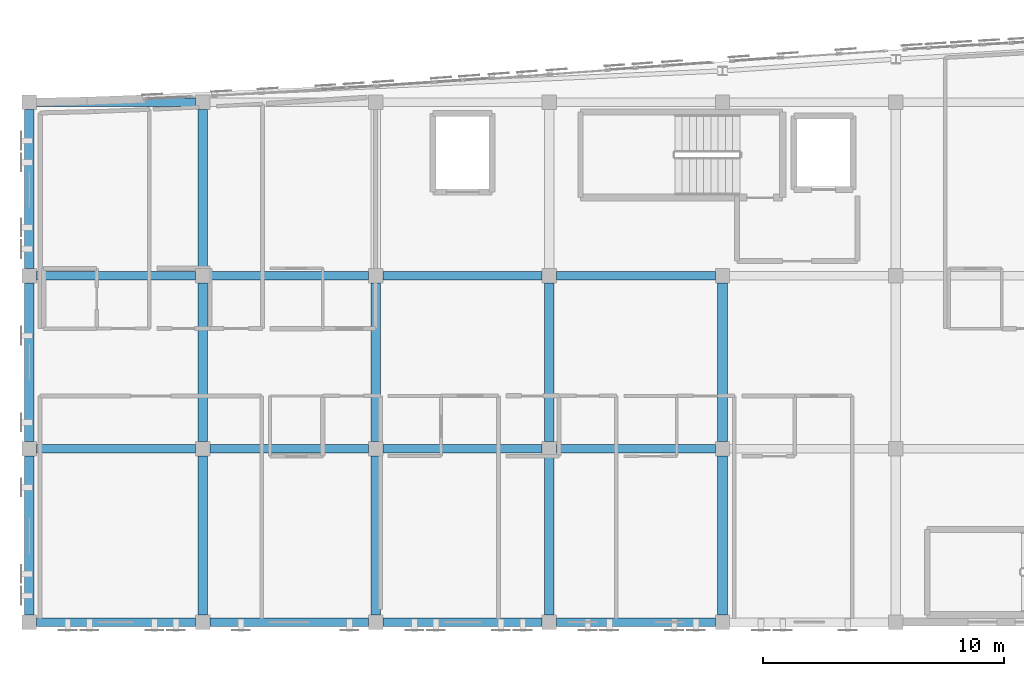
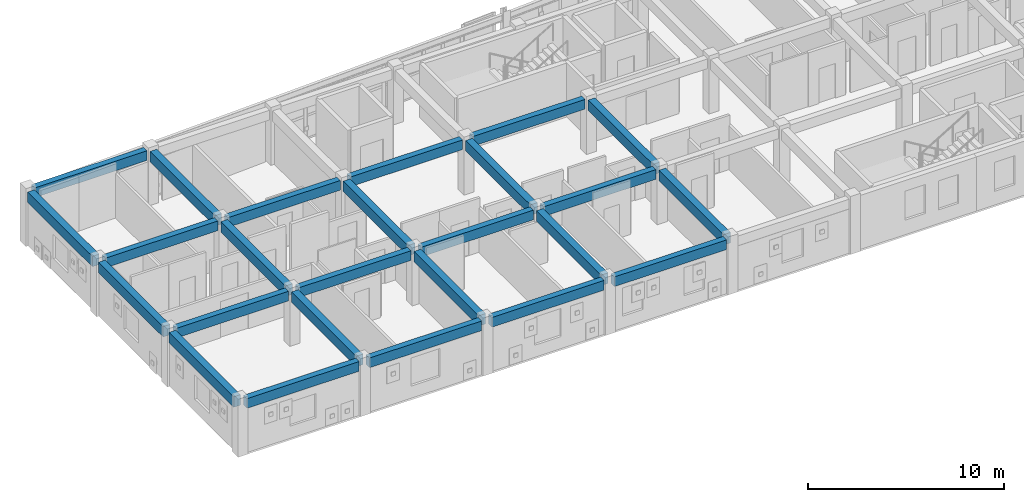
# One storey, part 5 of 45: 25 beams.
"""IFC4 building model written with IfcOpenShell, lengths in metres."""

from ifc_helpers import new_model, si_unit, direction, frame, origin, origin_2d, place, context, subcontext, project, spatial, rectangle, extrude, material, material_profile, profile_set, type_object, element, save


model = new_model("IFC4")

# Units and contexts
model_context = context("Model", 3, precision=1e-05, world=origin(), true_north=direction((0.0, 1.0)))
body_context = subcontext(model_context, "Body", "Model", "MODEL_VIEW")
ifc_project = project(units=[si_unit("LENGTHUNIT", "METRE"), si_unit("AREAUNIT", "SQUARE_METRE"), si_unit("VOLUMEUNIT", "CUBIC_METRE"), si_unit("PLANEANGLEUNIT", "RADIAN"), si_unit("MASSUNIT", "GRAM", prefix="KILO")], contexts=[model_context])

# Site, building, storey
site_placement = place(None, origin())
site = spatial("IfcSite", under=ifc_project, at=site_placement, CompositionType="ELEMENT")
building_placement = place(site_placement, origin())
building = spatial("IfcBuilding", under=site, at=building_placement, Name="Carrowvane Square Congress Hotel", CompositionType="ELEMENT")
storey_placement = place(building_placement, frame((0.0, 0.0, 33.60009765625)))
storey = spatial("IfcBuildingStorey", under=building, at=storey_placement, Name="L08", CompositionType="ELEMENT", Elevation=33.60009765625)

# Beams
ifc_material_1 = material(Name="Concrete C35/45", Category="concrete")
ifc_material_profile_1 = material_profile(ifc_material_1, rectangle(XDim=0.35009765625, YDim=0.60009765625, at=origin_2d()), Name="RC 350x600")
ifc_profile_set_1 = profile_set([ifc_material_profile_1], Name="Concrete C35/45")
beam_type_1 = type_object("IfcBeamType", Name="BM-RC-350x600", PredefinedType="BEAM", material=ifc_profile_set_1)
for number, where, z_axis, x_axis, name in (
    (1, (33.5, 91.800048828125, 3.059814453125), (1.0, 0.0, 0.0), (0.0, 1.0, 0.0), "L09 girder N/4-5"),
    (2, (40.699951171875, 91.800048828125, 3.059814453125), (1.0, 0.0, 0.0), (0.0, 1.0, 0.0), "L09 girder N/5-6"),
    (3, (47.89990234375, 91.800048828125, 3.059814453125), (1.0, 0.0, 0.0), (0.0, 1.0, 0.0), "L09 girder N/6-7"),
):
    element("IfcBeam", number, at=place(storey_placement, frame(where, z_axis=z_axis, x_axis=x_axis)), inside=storey, type_object=beam_type_1, Name=name, PredefinedType="BEAM", context=body_context, shape_type="SweptSolid", body=[
        extrude(rectangle(XDim=0.35009765625, YDim=0.60009765625, at=origin_2d()), origin(), (0.0, 0.0, 1.0), 6.60009765625),
    ])
beam_1_placement = place(storey_placement, frame((55.10009765625, 91.800048828125, 3.059814453125), z_axis=(1.0, 0.0, 0.0), x_axis=(0.0, 1.0, 0.0)))
element("IfcBeam", 4, at=beam_1_placement, inside=storey, type_object=beam_type_1, Name="L09 girder N/7-8", PredefinedType="BEAM", context=body_context, shape_type="SweptSolid", body=[
    extrude(rectangle(XDim=0.35009765625, YDim=0.60009765625, at=origin_2d()), origin(), (0.0, 0.0, 1.0), 6.599853515625),
])
for number, where, z_axis, x_axis, name in (
    (5, (33.5, 99.0, 3.059814453125), (1.0, 0.0, 0.0), (0.0, 1.0, 0.0), "L09 girder P/4-5"),
    (6, (40.699951171875, 99.0, 3.059814453125), (1.0, 0.0, 0.0), (0.0, 1.0, 0.0), "L09 girder P/5-6"),
    (7, (47.89990234375, 99.0, 3.059814453125), (1.0, 0.0, 0.0), (0.0, 1.0, 0.0), "L09 girder P/6-7"),
):
    element("IfcBeam", number, at=place(storey_placement, frame(where, z_axis=z_axis, x_axis=x_axis)), inside=storey, type_object=beam_type_1, Name=name, PredefinedType="BEAM", context=body_context, shape_type="SweptSolid", body=[
        extrude(rectangle(XDim=0.35009765625, YDim=0.60009765625, at=origin_2d()), origin(), (0.0, 0.0, 1.0), 6.60009765625),
    ])
beam_2_placement = place(storey_placement, frame((55.10009765625, 99.0, 3.059814453125), z_axis=(1.0, 0.0, 0.0), x_axis=(0.0, 1.0, 0.0)))
element("IfcBeam", 8, at=beam_2_placement, inside=storey, type_object=beam_type_1, Name="L09 girder P/7-8", PredefinedType="BEAM", context=body_context, shape_type="SweptSolid", body=[
    extrude(rectangle(XDim=0.35009765625, YDim=0.60009765625, at=origin_2d()), origin(), (0.0, 0.0, 1.0), 6.599853515625),
])
for number, where, z_axis, x_axis, name in (
    (9, (33.5, 106.199951171875, 3.059814453125), (1.0, 0.0, 0.0), (0.0, 1.0, 0.0), "L09 girder Q/4-5"),
    (10, (40.699951171875, 106.199951171875, 3.059814453125), (1.0, 0.0, 0.0), (0.0, 1.0, 0.0), "L09 girder Q/5-6"),
    (11, (47.89990234375, 106.199951171875, 3.059814453125), (1.0, 0.0, 0.0), (0.0, 1.0, 0.0), "L09 girder Q/6-7"),
):
    element("IfcBeam", number, at=place(storey_placement, frame(where, z_axis=z_axis, x_axis=x_axis)), inside=storey, type_object=beam_type_1, Name=name, PredefinedType="BEAM", context=body_context, shape_type="SweptSolid", body=[
        extrude(rectangle(XDim=0.35009765625, YDim=0.60009765625, at=origin_2d()), origin(), (0.0, 0.0, 1.0), 6.60009765625),
    ])
beam_3_placement = place(storey_placement, frame((55.10009765625, 106.199951171875, 3.059814453125), z_axis=(1.0, 0.0, 0.0), x_axis=(0.0, 1.0, 0.0)))
element("IfcBeam", 12, at=beam_3_placement, inside=storey, type_object=beam_type_1, Name="L09 girder Q/7-8", PredefinedType="BEAM", context=body_context, shape_type="SweptSolid", body=[
    extrude(rectangle(XDim=0.35009765625, YDim=0.60009765625, at=origin_2d()), origin(), (0.0, 0.0, 1.0), 6.599853515625),
])
beam_4_placement = place(storey_placement, frame((33.5, 113.39990234375, 3.059814453125), z_axis=(1.0, 0.0, 0.0), x_axis=(0.0, 1.0, 0.0)))
element("IfcBeam", 13, at=beam_4_placement, inside=storey, type_object=beam_type_1, Name="L09 girder R/4-5", PredefinedType="BEAM", context=body_context, shape_type="SweptSolid", body=[
    extrude(rectangle(XDim=0.35009765625, YDim=0.60009765625, at=origin_2d()), origin(), (0.0, 0.0, 1.0), 6.60009765625),
])
ifc_material_2 = material(Name="Concrete C35/45", Category="concrete")
ifc_material_profile_2 = material_profile(ifc_material_2, rectangle(XDim=0.39990234375, YDim=0.64990234375, at=origin_2d()), Name="RC 400x650")
ifc_profile_set_2 = profile_set([ifc_material_profile_2], Name="Concrete C35/45")
beam_type_2 = type_object("IfcBeamType", Name="BM-RC-400x650", PredefinedType="BEAM", material=ifc_profile_set_2)
for number, where, z_axis, x_axis, name in (
    (14, (33.199951171875, 92.10009765625, 3.034912109375), (0.0, 1.0, 0.0), (-1.0, 0.0, 0.0), "L09 girder 4/N-P"),
    (15, (33.199951171875, 99.300048828125, 3.034912109375), (0.0, 1.0, 0.0), (-1.0, 0.0, 0.0), "L09 girder 4/P-Q"),
):
    element("IfcBeam", number, at=place(storey_placement, frame(where, z_axis=z_axis, x_axis=x_axis)), inside=storey, type_object=beam_type_2, Name=name, PredefinedType="BEAM", context=body_context, shape_type="SweptSolid", body=[
        extrude(rectangle(XDim=0.39990234375, YDim=0.64990234375, at=origin_2d()), origin(), (0.0, 0.0, 1.0), 6.599853515625),
    ])
beam_5_placement = place(storey_placement, frame((33.199951171875, 106.5, 3.034912109375), z_axis=(0.0, 1.0, 0.0), x_axis=(-1.0, 0.0, 0.0)))
element("IfcBeam", 16, at=beam_5_placement, inside=storey, type_object=beam_type_2, Name="L09 girder 4/Q-R", PredefinedType="BEAM", context=body_context, shape_type="SweptSolid", body=[
    extrude(rectangle(XDim=0.39990234375, YDim=0.64990234375, at=origin_2d()), origin(), (0.0, 0.0, 1.0), 6.60009765625),
])
for number, where, z_axis, x_axis, name in (
    (17, (40.39990234375, 92.10009765625, 3.034912109375), (0.0, 1.0, 0.0), (-1.0, 0.0, 0.0), "L09 girder 5/N-P"),
    (18, (40.39990234375, 99.300048828125, 3.034912109375), (0.0, 1.0, 0.0), (-1.0, 0.0, 0.0), "L09 girder 5/P-Q"),
):
    element("IfcBeam", number, at=place(storey_placement, frame(where, z_axis=z_axis, x_axis=x_axis)), inside=storey, type_object=beam_type_2, Name=name, PredefinedType="BEAM", context=body_context, shape_type="SweptSolid", body=[
        extrude(rectangle(XDim=0.39990234375, YDim=0.64990234375, at=origin_2d()), origin(), (0.0, 0.0, 1.0), 6.599853515625),
    ])
beam_6_placement = place(storey_placement, frame((40.39990234375, 106.5, 3.034912109375), z_axis=(0.0, 1.0, 0.0), x_axis=(-1.0, 0.0, 0.0)))
element("IfcBeam", 19, at=beam_6_placement, inside=storey, type_object=beam_type_2, Name="L09 girder 5/Q-R", PredefinedType="BEAM", context=body_context, shape_type="SweptSolid", body=[
    extrude(rectangle(XDim=0.39990234375, YDim=0.64990234375, at=origin_2d()), origin(), (0.0, 0.0, 1.0), 6.60009765625),
])
for number, where, z_axis, x_axis, name in (
    (20, (47.60009765625, 92.10009765625, 3.034912109375), (0.0, 1.0, 0.0), (-1.0, 0.0, 0.0), "L09 girder 6/N-P"),
    (21, (47.60009765625, 99.300048828125, 3.034912109375), (0.0, 1.0, 0.0), (-1.0, 0.0, 0.0), "L09 girder 6/P-Q"),
    (22, (54.800048828125, 92.10009765625, 3.034912109375), (0.0, 1.0, 0.0), (-1.0, 0.0, 0.0), "L09 girder 7/N-P"),
    (23, (54.800048828125, 99.300048828125, 3.034912109375), (0.0, 1.0, 0.0), (-1.0, 0.0, 0.0), "L09 girder 7/P-Q"),
    (24, (62.0, 92.10009765625, 3.034912109375), (0.0, 1.0, 0.0), (-1.0, 0.0, 0.0), "L09 girder 8/N-P"),
    (25, (62.0, 99.300048828125, 3.034912109375), (0.0, 1.0, 0.0), (-1.0, 0.0, 0.0), "L09 girder 8/P-Q"),
):
    element("IfcBeam", number, at=place(storey_placement, frame(where, z_axis=z_axis, x_axis=x_axis)), inside=storey, type_object=beam_type_2, Name=name, PredefinedType="BEAM", context=body_context, shape_type="SweptSolid", body=[
        extrude(rectangle(XDim=0.39990234375, YDim=0.64990234375, at=origin_2d()), origin(), (0.0, 0.0, 1.0), 6.599853515625),
    ])

save(model, "model.ifc")
